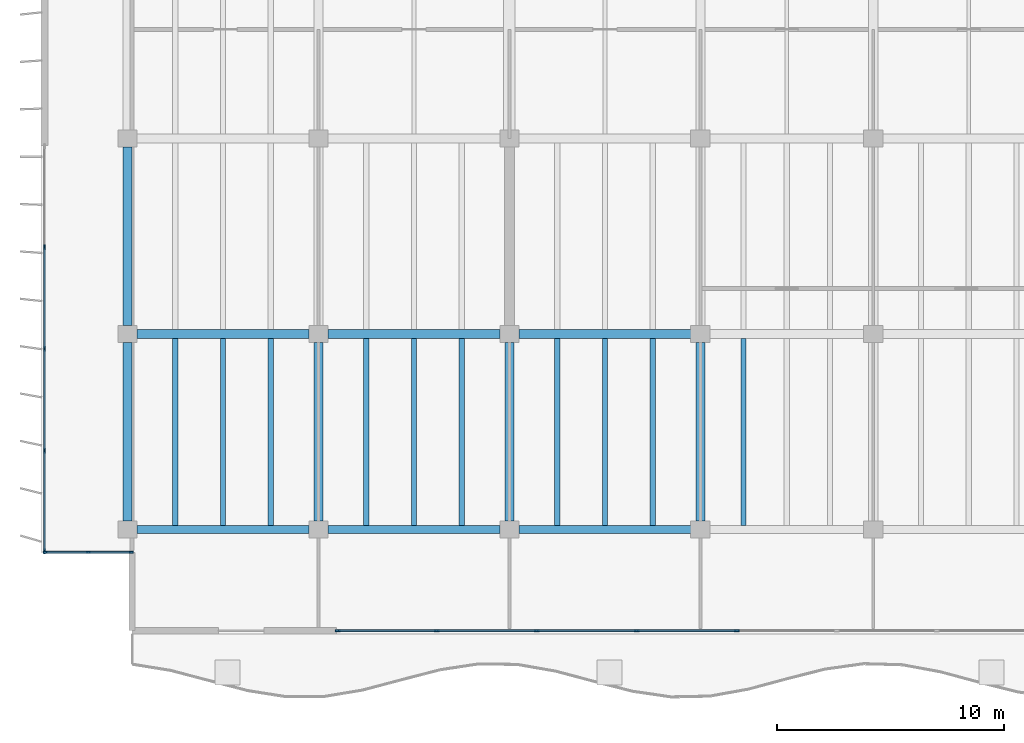
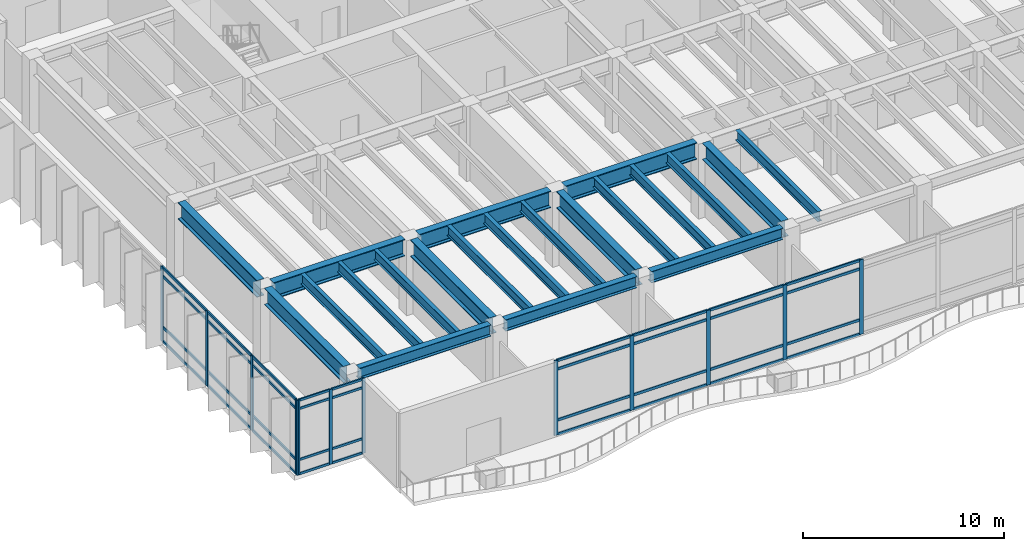
# One storey, part 2 of 15: 48 members, 21 beams, 3 elements without a shape of their own.
"""IFC4 building model written with IfcOpenShell, lengths in metres."""

from ifc_helpers import new_model, si_unit, direction, frame, origin, origin_2d, place, context, subcontext, project, spatial, rectangle, i_section, extrude, material, layer, layer_set, material_profile, profile_set, type_object, element, aggregate, save


model = new_model("IFC4")

# Units and contexts
model_context = context("Model", 3, precision=1e-05, world=origin(), true_north=direction((0.0, 1.0)))
body_context = subcontext(model_context, "Body", "Model", "MODEL_VIEW")
ifc_project = project(units=[si_unit("LENGTHUNIT", "METRE"), si_unit("AREAUNIT", "SQUARE_METRE"), si_unit("VOLUMEUNIT", "CUBIC_METRE"), si_unit("PLANEANGLEUNIT", "RADIAN"), si_unit("MASSUNIT", "GRAM", prefix="KILO")], contexts=[model_context])

# Site, building, storey
site_placement = place(None, origin())
site = spatial("IfcSite", under=ifc_project, at=site_placement, CompositionType="ELEMENT")
building_placement = place(site_placement, origin())
building = spatial("IfcBuilding", under=site, at=building_placement, Name="Caelmar Bay Residences", CompositionType="ELEMENT")
storey_placement = place(building_placement, frame((0.0, 0.0, 183.60009765625)))
storey = spatial("IfcBuildingStorey", under=building, at=storey_placement, Name="L51", CompositionType="ELEMENT", Elevation=183.60009765625)

# Beams
ifc_material_1 = material(Name="Steel ASTM A992 Grade 50", Category="steel")
ifc_material_profile_1 = material_profile(ifc_material_1, i_section(OverallWidth=0.404052734375, OverallDepth=1.02099609375, WebThickness=0.025390625, FlangeThickness=0.0458984375, FilletRadius=0.02294921875, at=origin_2d()), Name="W40X324")
ifc_profile_set_1 = profile_set([ifc_material_profile_1], Name="Steel ASTM A992 Grade 50")
beam_type_1 = type_object("IfcBeamType", Name="BM-GRD-W40X324", PredefinedType="BEAM", material=ifc_profile_set_1)
beam_1_placement = place(storey_placement, frame((10.31494140625, 20.800048828125, 4.039306640625), z_axis=(1.0, 0.0, 0.0), x_axis=(0.0, 1.0, 0.0)))
element("IfcBeam", 1, at=beam_1_placement, inside=storey, type_object=beam_type_1, Name="L51 East-West Girder Y=20.80 (9.9-18.3)", PredefinedType="BEAM", context=body_context, shape_type="SweptSolid", body=[
    extrude(i_section(OverallWidth=0.404052734375, OverallDepth=1.02099609375, WebThickness=0.025390625, FlangeThickness=0.0458984375, FilletRadius=0.02294921875, at=origin_2d()), origin(), (0.0, 0.0, 1.0), 7.570068359375),
])
beam_2_placement = place(storey_placement, frame((18.715087890625, 20.800048828125, 4.039306640625), z_axis=(1.0, 0.0, 0.0), x_axis=(0.0, 1.0, 0.0)))
element("IfcBeam", 2, at=beam_2_placement, inside=storey, type_object=beam_type_1, Name="L51 East-West Girder Y=20.80 (18.3-26.7)", PredefinedType="BEAM", context=body_context, shape_type="SweptSolid", body=[
    extrude(i_section(OverallWidth=0.404052734375, OverallDepth=1.02099609375, WebThickness=0.025390625, FlangeThickness=0.0458984375, FilletRadius=0.02294921875, at=origin_2d()), origin(), (0.0, 0.0, 1.0), 7.56982421875),
])
beam_3_placement = place(storey_placement, frame((27.114990234375, 20.800048828125, 4.039306640625), z_axis=(1.0, 0.0, 0.0), x_axis=(0.0, 1.0, 0.0)))
element("IfcBeam", 3, at=beam_3_placement, inside=storey, type_object=beam_type_1, Name="L51 East-West Girder Y=20.80 (26.7-35.1)", PredefinedType="BEAM", context=body_context, shape_type="SweptSolid", body=[
    extrude(i_section(OverallWidth=0.404052734375, OverallDepth=1.02099609375, WebThickness=0.025390625, FlangeThickness=0.0458984375, FilletRadius=0.02294921875, at=origin_2d()), origin(), (0.0, 0.0, 1.0), 7.570068359375),
])
beam_4_placement = place(storey_placement, frame((9.89990234375, 12.56494140625, 4.039306640625), z_axis=(0.0, 1.0, 0.0), x_axis=(-1.0, 0.0, 0.0)))
element("IfcBeam", 4, at=beam_4_placement, inside=storey, type_object=beam_type_1, Name="L51 North-South Girder X=9.90 (12.2-20.8)", PredefinedType="BEAM", context=body_context, shape_type="SweptSolid", body=[
    extrude(i_section(OverallWidth=0.404052734375, OverallDepth=1.02099609375, WebThickness=0.025390625, FlangeThickness=0.0458984375, FilletRadius=0.02294921875, at=origin_2d()), origin(), (0.0, 0.0, 1.0), 7.8701171875),
])
beam_5_placement = place(storey_placement, frame((9.89990234375, 21.1650390625, 4.039306640625), z_axis=(0.0, 1.0, 0.0), x_axis=(-1.0, 0.0, 0.0)))
element("IfcBeam", 5, at=beam_5_placement, inside=storey, type_object=beam_type_1, Name="L51 North-South Girder X=9.90 (20.8-29.4)", PredefinedType="BEAM", context=body_context, shape_type="SweptSolid", body=[
    extrude(i_section(OverallWidth=0.404052734375, OverallDepth=1.02099609375, WebThickness=0.025390625, FlangeThickness=0.0458984375, FilletRadius=0.02294921875, at=origin_2d()), origin(), (0.0, 0.0, 1.0), 7.869873046875),
])
for number, where, z_axis, x_axis, name in (
    (6, (18.300048828125, 12.56494140625, 4.039306640625), (0.0, 1.0, 0.0), (-1.0, 0.0, 0.0), "L51 North-South Girder X=18.30 (12.2-20.8)"),
    (7, (26.699951171875, 12.56494140625, 4.039306640625), (0.0, 1.0, 0.0), (-1.0, 0.0, 0.0), "L51 North-South Girder X=26.70 (12.2-20.8)"),
    (8, (35.10009765625, 12.56494140625, 4.039306640625), (0.0, 1.0, 0.0), (-1.0, 0.0, 0.0), "L51 North-South Girder X=35.10 (12.2-20.8)"),
):
    element("IfcBeam", number, at=place(storey_placement, frame(where, z_axis=z_axis, x_axis=x_axis)), inside=storey, type_object=beam_type_1, Name=name, PredefinedType="BEAM", context=body_context, shape_type="SweptSolid", body=[
        extrude(i_section(OverallWidth=0.404052734375, OverallDepth=1.02099609375, WebThickness=0.025390625, FlangeThickness=0.0458984375, FilletRadius=0.02294921875, at=origin_2d()), origin(), (0.0, 0.0, 1.0), 7.8701171875),
    ])
ifc_material_profile_2 = material_profile(ifc_material_1, i_section(OverallWidth=0.22900390625, OverallDepth=0.612060546875, WebThickness=0.011962890625, FlangeThickness=0.01953125, FilletRadius=0.0126953125, at=origin_2d()), Name="W24X84")
ifc_profile_set_2 = profile_set([ifc_material_profile_2], Name="Steel ASTM A992 Grade 50")
beam_type_2 = type_object("IfcBeamType", Name="BM-JST-W24X84", PredefinedType="JOIST", material=ifc_profile_set_2)
for number, where, z_axis, x_axis, name in (
    (9, (12.0, 12.3779296875, 4.243896484375), (0.0, 1.0, 0.0), (-1.0, 0.0, 0.0), "L51 Composite Floor Joist 1"),
    (10, (14.10009765625, 12.3779296875, 4.243896484375), (0.0, 1.0, 0.0), (-1.0, 0.0, 0.0), "L51 Composite Floor Joist 2"),
    (11, (16.199951171875, 12.3779296875, 4.243896484375), (0.0, 1.0, 0.0), (-1.0, 0.0, 0.0), "L51 Composite Floor Joist 3"),
    (12, (20.39990234375, 12.3779296875, 4.243896484375), (0.0, 1.0, 0.0), (-1.0, 0.0, 0.0), "L51 Composite Floor Joist 4"),
    (13, (22.5, 12.3779296875, 4.243896484375), (0.0, 1.0, 0.0), (-1.0, 0.0, 0.0), "L51 Composite Floor Joist 5"),
    (14, (24.60009765625, 12.3779296875, 4.243896484375), (0.0, 1.0, 0.0), (-1.0, 0.0, 0.0), "L51 Composite Floor Joist 6"),
    (15, (28.800048828125, 12.3779296875, 4.243896484375), (0.0, 1.0, 0.0), (-1.0, 0.0, 0.0), "L51 Composite Floor Joist 7"),
    (16, (30.89990234375, 12.3779296875, 4.243896484375), (0.0, 1.0, 0.0), (-1.0, 0.0, 0.0), "L51 Composite Floor Joist 8"),
    (17, (33.0, 12.3779296875, 4.243896484375), (0.0, 1.0, 0.0), (-1.0, 0.0, 0.0), "L51 Composite Floor Joist 9"),
    (18, (37.0, 12.3779296875, 4.243896484375), (0.0, 1.0, 0.0), (-1.0, 0.0, 0.0), "L51 Composite Floor Joist 10"),
):
    element("IfcBeam", number, at=place(storey_placement, frame(where, z_axis=z_axis, x_axis=x_axis)), inside=storey, type_object=beam_type_2, Name=name, PredefinedType="JOIST", context=body_context, shape_type="SweptSolid", body=[
        extrude(i_section(OverallWidth=0.22900390625, OverallDepth=0.612060546875, WebThickness=0.011962890625, FlangeThickness=0.01953125, FilletRadius=0.0126953125, at=origin_2d()), origin(), (0.0, 0.0, 1.0), 8.219970703125),
    ])
ifc_material_profile_3 = material_profile(ifc_material_1, i_section(OverallWidth=0.35595703125, OverallDepth=0.696044921875, WebThickness=0.015380859375, FlangeThickness=0.02490234375, FilletRadius=0.01513671875, at=origin_2d()), Name="W27X146")
ifc_profile_set_3 = profile_set([ifc_material_profile_3], Name="Steel ASTM A992 Grade 50")
beam_type_3 = type_object("IfcBeamType", Name="BM-SPN-W27X146", PredefinedType="SPANDREL", material=ifc_profile_set_3)
beam_6_placement = place(storey_placement, frame((10.31494140625, 12.199951171875, 4.201904296875), z_axis=(1.0, 0.0, 0.0), x_axis=(0.0, 1.0, 0.0)))
element("IfcBeam", 19, at=beam_6_placement, inside=storey, type_object=beam_type_3, Name="L51 East-West Girder Y=12.20 (9.9-18.3)", PredefinedType="SPANDREL", context=body_context, shape_type="SweptSolid", body=[
    extrude(i_section(OverallWidth=0.35595703125, OverallDepth=0.696044921875, WebThickness=0.015380859375, FlangeThickness=0.02490234375, FilletRadius=0.01513671875, at=origin_2d()), origin(), (0.0, 0.0, 1.0), 7.570068359375),
])
beam_7_placement = place(storey_placement, frame((18.715087890625, 12.199951171875, 4.201904296875), z_axis=(1.0, 0.0, 0.0), x_axis=(0.0, 1.0, 0.0)))
element("IfcBeam", 20, at=beam_7_placement, inside=storey, type_object=beam_type_3, Name="L51 East-West Girder Y=12.20 (18.3-26.7)", PredefinedType="SPANDREL", context=body_context, shape_type="SweptSolid", body=[
    extrude(i_section(OverallWidth=0.35595703125, OverallDepth=0.696044921875, WebThickness=0.015380859375, FlangeThickness=0.02490234375, FilletRadius=0.01513671875, at=origin_2d()), origin(), (0.0, 0.0, 1.0), 7.56982421875),
])
beam_8_placement = place(storey_placement, frame((27.114990234375, 12.199951171875, 4.201904296875), z_axis=(1.0, 0.0, 0.0), x_axis=(0.0, 1.0, 0.0)))
element("IfcBeam", 21, at=beam_8_placement, inside=storey, type_object=beam_type_3, Name="L51 East-West Girder Y=12.20 (26.7-35.1)", PredefinedType="SPANDREL", context=body_context, shape_type="SweptSolid", body=[
    extrude(i_section(OverallWidth=0.35595703125, OverallDepth=0.696044921875, WebThickness=0.015380859375, FlangeThickness=0.02490234375, FilletRadius=0.01513671875, at=origin_2d()), origin(), (0.0, 0.0, 1.0), 7.570068359375),
])

# Curtain wall, members
ifc_material_2 = material(Name="Anodised bronze aluminium 6063-T6 and laminated glass", Category="aluminium")
ifc_layer_1 = layer(ifc_material_2, 0.179931640625)
ifc_layer_set_1 = layer_set([ifc_layer_1], Name="Anodised bronze aluminium 6063-T6 and laminated glass")
curtain_wall_type_1 = type_object("IfcCurtainWallType", Name="CW6-NTC", PredefinedType="NOTDEFINED", material=ifc_layer_set_1)
curtain_wall_1_placement = place(storey_placement, origin())
curtain_wall_1 = element("IfcCurtainWall", 22, at=curtain_wall_1_placement, inside=storey, type_object=curtain_wall_type_1, Name="CW6 curtain wall L51", PredefinedType="NOTDEFINED")
ifc_material_3 = material(Name="Anodised bronze aluminium 6063-T6", Category="aluminium")
ifc_material_profile_4 = material_profile(ifc_material_3, rectangle(XDim=0.080078125, YDim=0.179931640625, at=origin_2d()), Name="CWM-80X180")
ifc_profile_set_4 = profile_set([ifc_material_profile_4], Name="Anodised bronze aluminium 6063-T6")
member_type_1 = type_object("IfcMemberType", Name="CWM-180", PredefinedType="MULLION", material=ifc_profile_set_4)
member_1_placement = place(storey_placement, frame((6.2900390625, 11.199951171875, 0.0), z_axis=(0.0, 0.0, 1.0), x_axis=(0.0, 1.0, 0.0)))
member_1 = element("IfcMember", 23, at=member_1_placement, type_object=member_type_1, Name="CW6 mullion 1", PredefinedType="MULLION", context=body_context, shape_type="SweptSolid", body=[
    extrude(rectangle(XDim=0.080078125, YDim=0.179931640625, at=origin_2d()), origin(), (0.0, 0.0, 1.0), 4.5498046875),
])
member_2_placement = place(storey_placement, frame((8.175048828125, 11.199951171875, 0.0), z_axis=(0.0, 0.0, 1.0), x_axis=(0.0, 1.0, 0.0)))
member_2 = element("IfcMember", 24, at=member_2_placement, type_object=member_type_1, Name="CW6 mullion 2", PredefinedType="MULLION", context=body_context, shape_type="SweptSolid", body=[
    extrude(rectangle(XDim=0.080078125, YDim=0.179931640625, at=origin_2d()), origin(), (0.0, 0.0, 1.0), 4.5498046875),
])
member_3_placement = place(storey_placement, frame((10.06005859375, 11.199951171875, 0.0), z_axis=(0.0, 0.0, 1.0), x_axis=(0.0, 1.0, 0.0)))
member_3 = element("IfcMember", 25, at=member_3_placement, type_object=member_type_1, Name="CW6 mullion 3", PredefinedType="MULLION", context=body_context, shape_type="SweptSolid", body=[
    extrude(rectangle(XDim=0.080078125, YDim=0.179931640625, at=origin_2d()), origin(), (0.0, 0.0, 1.0), 4.5498046875),
])

ifc_layer_2 = layer(ifc_material_2, 0.179931640625)
ifc_layer_set_2 = layer_set([ifc_layer_2], Name="Anodised bronze aluminium 6063-T6 and laminated glass")
curtain_wall_type_2 = type_object("IfcCurtainWallType", Name="CW7-CRN", PredefinedType="NOTDEFINED", material=ifc_layer_set_2)
curtain_wall_2_placement = place(storey_placement, origin())
curtain_wall_2 = element("IfcCurtainWall", 26, at=curtain_wall_2_placement, inside=storey, type_object=curtain_wall_type_2, Name="CW7 curtain wall L51", PredefinedType="NOTDEFINED")
ifc_material_profile_5 = material_profile(ifc_material_3, rectangle(XDim=0.080078125, YDim=0.219970703125, at=origin_2d()), Name="CWM-80X220")
ifc_profile_set_5 = profile_set([ifc_material_profile_5], Name="Anodised bronze aluminium 6063-T6")
member_type_2 = type_object("IfcMemberType", Name="CWM-220", PredefinedType="MULLION", material=ifc_profile_set_5)
member_4_placement = place(storey_placement, frame((36.699951171875, 7.75, 0.0), z_axis=(0.0, 0.0, 1.0), x_axis=(0.0, -1.0, 0.0)))
member_4 = element("IfcMember", 27, at=member_4_placement, type_object=member_type_2, Name="CW7 mullion 6", PredefinedType="MULLION", context=body_context, shape_type="SweptSolid", body=[
    extrude(rectangle(XDim=0.080078125, YDim=0.219970703125, at=origin_2d()), origin(), (0.0, 0.0, 1.0), 4.5498046875),
])
member_5_placement = place(storey_placement, frame((32.300048828125, 7.75, 0.0), z_axis=(0.0, 0.0, 1.0), x_axis=(0.0, -1.0, 0.0)))
member_5 = element("IfcMember", 28, at=member_5_placement, type_object=member_type_2, Name="CW7 mullion 7", PredefinedType="MULLION", context=body_context, shape_type="SweptSolid", body=[
    extrude(rectangle(XDim=0.080078125, YDim=0.219970703125, at=origin_2d()), origin(), (0.0, 0.0, 1.0), 4.5498046875),
])
member_6_placement = place(storey_placement, frame((27.89990234375, 7.75, 0.0), z_axis=(0.0, 0.0, 1.0), x_axis=(0.0, -1.0, 0.0)))
member_6 = element("IfcMember", 29, at=member_6_placement, type_object=member_type_2, Name="CW7 mullion 8", PredefinedType="MULLION", context=body_context, shape_type="SweptSolid", body=[
    extrude(rectangle(XDim=0.080078125, YDim=0.219970703125, at=origin_2d()), origin(), (0.0, 0.0, 1.0), 4.5498046875),
])
member_7_placement = place(storey_placement, frame((23.5, 7.75, 0.0), z_axis=(0.0, 0.0, 1.0), x_axis=(0.0, -1.0, 0.0)))
member_7 = element("IfcMember", 30, at=member_7_placement, type_object=member_type_2, Name="CW7 mullion 9", PredefinedType="MULLION", context=body_context, shape_type="SweptSolid", body=[
    extrude(rectangle(XDim=0.080078125, YDim=0.219970703125, at=origin_2d()), origin(), (0.0, 0.0, 1.0), 4.5498046875),
])
member_8_placement = place(storey_placement, frame((19.139892578125, 7.75, 0.0), z_axis=(0.0, 0.0, 1.0), x_axis=(0.0, -1.0, 0.0)))
member_8 = element("IfcMember", 31, at=member_8_placement, type_object=member_type_2, Name="CW7 mullion 10", PredefinedType="MULLION", context=body_context, shape_type="SweptSolid", body=[
    extrude(rectangle(XDim=0.080078125, YDim=0.219970703125, at=origin_2d()), origin(), (0.0, 0.0, 1.0), 4.5498046875),
])

curtain_wall_3_placement = place(storey_placement, origin())
curtain_wall_3 = element("IfcCurtainWall", 32, at=curtain_wall_3_placement, inside=storey, type_object=curtain_wall_type_2, Name="CW7 curtain wall L51", PredefinedType="NOTDEFINED")
member_9_placement = place(storey_placement, frame((6.25, 11.239990234375, 0.0), z_axis=(0.0, 0.0, 1.0), x_axis=(-1.0, 0.0, 0.0)))
member_9 = element("IfcMember", 33, at=member_9_placement, type_object=member_type_2, Name="CW7 mullion 1", PredefinedType="MULLION", context=body_context, shape_type="SweptSolid", body=[
    extrude(rectangle(XDim=0.080078125, YDim=0.219970703125, at=origin_2d()), origin(), (0.0, 0.0, 1.0), 4.5498046875),
])
member_10_placement = place(storey_placement, frame((6.25, 15.675048828125, 0.0), z_axis=(0.0, 0.0, 1.0), x_axis=(-1.0, 0.0, 0.0)))
member_10 = element("IfcMember", 34, at=member_10_placement, type_object=member_type_2, Name="CW7 mullion 2", PredefinedType="MULLION", context=body_context, shape_type="SweptSolid", body=[
    extrude(rectangle(XDim=0.080078125, YDim=0.219970703125, at=origin_2d()), origin(), (0.0, 0.0, 1.0), 4.5498046875),
])
member_11_placement = place(storey_placement, frame((6.25, 20.14990234375, 0.0), z_axis=(0.0, 0.0, 1.0), x_axis=(-1.0, 0.0, 0.0)))
member_11 = element("IfcMember", 35, at=member_11_placement, type_object=member_type_2, Name="CW7 mullion 3", PredefinedType="MULLION", context=body_context, shape_type="SweptSolid", body=[
    extrude(rectangle(XDim=0.080078125, YDim=0.219970703125, at=origin_2d()), origin(), (0.0, 0.0, 1.0), 4.5498046875),
])
member_12_placement = place(storey_placement, frame((6.25, 24.625, 0.0), z_axis=(0.0, 0.0, 1.0), x_axis=(-1.0, 0.0, 0.0)))
member_12 = element("IfcMember", 36, at=member_12_placement, type_object=member_type_2, Name="CW7 mullion 4", PredefinedType="MULLION", context=body_context, shape_type="SweptSolid", body=[
    extrude(rectangle(XDim=0.080078125, YDim=0.219970703125, at=origin_2d()), origin(), (0.0, 0.0, 1.0), 4.5498046875),
])

# Member
ifc_material_profile_6 = material_profile(ifc_material_3, rectangle(XDim=0.080078125, YDim=0.139892578125, at=origin_2d()), Name="CWT-80X140")
ifc_profile_set_6 = profile_set([ifc_material_profile_6], Name="Anodised bronze aluminium 6063-T6")
member_type_3 = type_object("IfcMemberType", Name="CWT-140", PredefinedType="NOTDEFINED", material=ifc_profile_set_6)
member_13_placement = place(storey_placement, frame((6.330078125, 11.199951171875, 0.039794921875), z_axis=(1.0, 0.0, 0.0), x_axis=(0.0, 1.0, 0.0)))
member_13 = element("IfcMember", 37, at=member_13_placement, type_object=member_type_3, Name="CW6 transom 1.1", ObjectType="TRANSOM", PredefinedType="USERDEFINED", context=body_context, shape_type="SweptSolid", body=[
    extrude(rectangle(XDim=0.080078125, YDim=0.139892578125, at=origin_2d()), origin(), (0.0, 0.0, 1.0), 1.804931640625),
])

member_14_placement = place(storey_placement, frame((6.330078125, 11.199951171875, 0.89990234375), z_axis=(1.0, 0.0, 0.0), x_axis=(0.0, 1.0, 0.0)))
member_14 = element("IfcMember", 38, at=member_14_placement, type_object=member_type_3, Name="CW6 transom 1.2", ObjectType="TRANSOM", PredefinedType="USERDEFINED", context=body_context, shape_type="SweptSolid", body=[
    extrude(rectangle(XDim=0.080078125, YDim=0.139892578125, at=origin_2d()), origin(), (0.0, 0.0, 1.0), 1.804931640625),
])

member_15_placement = place(storey_placement, frame((6.330078125, 11.199951171875, 4.0), z_axis=(1.0, 0.0, 0.0), x_axis=(0.0, 1.0, 0.0)))
member_15 = element("IfcMember", 39, at=member_15_placement, type_object=member_type_3, Name="CW6 transom 1.3", ObjectType="TRANSOM", PredefinedType="USERDEFINED", context=body_context, shape_type="SweptSolid", body=[
    extrude(rectangle(XDim=0.080078125, YDim=0.139892578125, at=origin_2d()), origin(), (0.0, 0.0, 1.0), 1.804931640625),
])

member_16_placement = place(storey_placement, frame((6.330078125, 11.199951171875, 4.510009765625), z_axis=(1.0, 0.0, 0.0), x_axis=(0.0, 1.0, 0.0)))
member_16 = element("IfcMember", 40, at=member_16_placement, type_object=member_type_3, Name="CW6 transom 1.4", ObjectType="TRANSOM", PredefinedType="USERDEFINED", context=body_context, shape_type="SweptSolid", body=[
    extrude(rectangle(XDim=0.080078125, YDim=0.139892578125, at=origin_2d()), origin(), (0.0, 0.0, 1.0), 1.804931640625),
])

member_17_placement = place(storey_placement, frame((8.215087890625, 11.199951171875, 0.039794921875), z_axis=(1.0, 0.0, 0.0), x_axis=(0.0, 1.0, 0.0)))
member_17 = element("IfcMember", 41, at=member_17_placement, type_object=member_type_3, Name="CW6 transom 2.1", ObjectType="TRANSOM", PredefinedType="USERDEFINED", context=body_context, shape_type="SweptSolid", body=[
    extrude(rectangle(XDim=0.080078125, YDim=0.139892578125, at=origin_2d()), origin(), (0.0, 0.0, 1.0), 1.804931640625),
])

member_18_placement = place(storey_placement, frame((8.215087890625, 11.199951171875, 0.89990234375), z_axis=(1.0, 0.0, 0.0), x_axis=(0.0, 1.0, 0.0)))
member_18 = element("IfcMember", 42, at=member_18_placement, type_object=member_type_3, Name="CW6 transom 2.2", ObjectType="TRANSOM", PredefinedType="USERDEFINED", context=body_context, shape_type="SweptSolid", body=[
    extrude(rectangle(XDim=0.080078125, YDim=0.139892578125, at=origin_2d()), origin(), (0.0, 0.0, 1.0), 1.804931640625),
])

member_19_placement = place(storey_placement, frame((8.215087890625, 11.199951171875, 4.0), z_axis=(1.0, 0.0, 0.0), x_axis=(0.0, 1.0, 0.0)))
member_19 = element("IfcMember", 43, at=member_19_placement, type_object=member_type_3, Name="CW6 transom 2.3", ObjectType="TRANSOM", PredefinedType="USERDEFINED", context=body_context, shape_type="SweptSolid", body=[
    extrude(rectangle(XDim=0.080078125, YDim=0.139892578125, at=origin_2d()), origin(), (0.0, 0.0, 1.0), 1.804931640625),
])

member_20_placement = place(storey_placement, frame((8.215087890625, 11.199951171875, 4.510009765625), z_axis=(1.0, 0.0, 0.0), x_axis=(0.0, 1.0, 0.0)))
member_20 = element("IfcMember", 44, at=member_20_placement, type_object=member_type_3, Name="CW6 transom 2.4", ObjectType="TRANSOM", PredefinedType="USERDEFINED", context=body_context, shape_type="SweptSolid", body=[
    extrude(rectangle(XDim=0.080078125, YDim=0.139892578125, at=origin_2d()), origin(), (0.0, 0.0, 1.0), 1.804931640625),
])

aggregate(curtain_wall_1, [member_1, member_2, member_3, member_13, member_14, member_15, member_16, member_17, member_18, member_19, member_20])

ifc_material_profile_7 = material_profile(ifc_material_3, rectangle(XDim=0.080078125, YDim=0.159912109375, at=origin_2d()), Name="CWT-80X160")
ifc_profile_set_7 = profile_set([ifc_material_profile_7], Name="Anodised bronze aluminium 6063-T6")
member_type_4 = type_object("IfcMemberType", Name="CWT-160", PredefinedType="NOTDEFINED", material=ifc_profile_set_7)
member_21_placement = place(storey_placement, frame((36.659912109375, 7.75, 0.039794921875), z_axis=(-1.0, 0.0, 0.0), x_axis=(0.0, -1.0, 0.0)))
member_21 = element("IfcMember", 45, at=member_21_placement, type_object=member_type_4, Name="CW7 transom 6.1", ObjectType="TRANSOM", PredefinedType="USERDEFINED", context=body_context, shape_type="SweptSolid", body=[
    extrude(rectangle(XDim=0.080078125, YDim=0.159912109375, at=origin_2d()), origin(), (0.0, 0.0, 1.0), 4.31982421875),
])

member_22_placement = place(storey_placement, frame((36.659912109375, 7.75, 0.89990234375), z_axis=(-1.0, 0.0, 0.0), x_axis=(0.0, -1.0, 0.0)))
member_22 = element("IfcMember", 46, at=member_22_placement, type_object=member_type_4, Name="CW7 transom 6.2", ObjectType="TRANSOM", PredefinedType="USERDEFINED", context=body_context, shape_type="SweptSolid", body=[
    extrude(rectangle(XDim=0.080078125, YDim=0.159912109375, at=origin_2d()), origin(), (0.0, 0.0, 1.0), 4.31982421875),
])

member_23_placement = place(storey_placement, frame((36.659912109375, 7.75, 4.0), z_axis=(-1.0, 0.0, 0.0), x_axis=(0.0, -1.0, 0.0)))
member_23 = element("IfcMember", 47, at=member_23_placement, type_object=member_type_4, Name="CW7 transom 6.3", ObjectType="TRANSOM", PredefinedType="USERDEFINED", context=body_context, shape_type="SweptSolid", body=[
    extrude(rectangle(XDim=0.080078125, YDim=0.159912109375, at=origin_2d()), origin(), (0.0, 0.0, 1.0), 4.31982421875),
])

member_24_placement = place(storey_placement, frame((36.659912109375, 7.75, 4.510009765625), z_axis=(-1.0, 0.0, 0.0), x_axis=(0.0, -1.0, 0.0)))
member_24 = element("IfcMember", 48, at=member_24_placement, type_object=member_type_4, Name="CW7 transom 6.4", ObjectType="TRANSOM", PredefinedType="USERDEFINED", context=body_context, shape_type="SweptSolid", body=[
    extrude(rectangle(XDim=0.080078125, YDim=0.159912109375, at=origin_2d()), origin(), (0.0, 0.0, 1.0), 4.31982421875),
])

member_25_placement = place(storey_placement, frame((32.260009765625, 7.75, 0.039794921875), z_axis=(-1.0, 0.0, 0.0), x_axis=(0.0, -1.0, 0.0)))
member_25 = element("IfcMember", 49, at=member_25_placement, type_object=member_type_4, Name="CW7 transom 7.1", ObjectType="TRANSOM", PredefinedType="USERDEFINED", context=body_context, shape_type="SweptSolid", body=[
    extrude(rectangle(XDim=0.080078125, YDim=0.159912109375, at=origin_2d()), origin(), (0.0, 0.0, 1.0), 4.320068359375),
])

member_26_placement = place(storey_placement, frame((32.260009765625, 7.75, 0.89990234375), z_axis=(-1.0, 0.0, 0.0), x_axis=(0.0, -1.0, 0.0)))
member_26 = element("IfcMember", 50, at=member_26_placement, type_object=member_type_4, Name="CW7 transom 7.2", ObjectType="TRANSOM", PredefinedType="USERDEFINED", context=body_context, shape_type="SweptSolid", body=[
    extrude(rectangle(XDim=0.080078125, YDim=0.159912109375, at=origin_2d()), origin(), (0.0, 0.0, 1.0), 4.320068359375),
])

member_27_placement = place(storey_placement, frame((32.260009765625, 7.75, 4.0), z_axis=(-1.0, 0.0, 0.0), x_axis=(0.0, -1.0, 0.0)))
member_27 = element("IfcMember", 51, at=member_27_placement, type_object=member_type_4, Name="CW7 transom 7.3", ObjectType="TRANSOM", PredefinedType="USERDEFINED", context=body_context, shape_type="SweptSolid", body=[
    extrude(rectangle(XDim=0.080078125, YDim=0.159912109375, at=origin_2d()), origin(), (0.0, 0.0, 1.0), 4.320068359375),
])

member_28_placement = place(storey_placement, frame((32.260009765625, 7.75, 4.510009765625), z_axis=(-1.0, 0.0, 0.0), x_axis=(0.0, -1.0, 0.0)))
member_28 = element("IfcMember", 52, at=member_28_placement, type_object=member_type_4, Name="CW7 transom 7.4", ObjectType="TRANSOM", PredefinedType="USERDEFINED", context=body_context, shape_type="SweptSolid", body=[
    extrude(rectangle(XDim=0.080078125, YDim=0.159912109375, at=origin_2d()), origin(), (0.0, 0.0, 1.0), 4.320068359375),
])

member_29_placement = place(storey_placement, frame((27.860107421875, 7.75, 0.039794921875), z_axis=(-1.0, 0.0, 0.0), x_axis=(0.0, -1.0, 0.0)))
member_29 = element("IfcMember", 53, at=member_29_placement, type_object=member_type_4, Name="CW7 transom 8.1", ObjectType="TRANSOM", PredefinedType="USERDEFINED", context=body_context, shape_type="SweptSolid", body=[
    extrude(rectangle(XDim=0.080078125, YDim=0.159912109375, at=origin_2d()), origin(), (0.0, 0.0, 1.0), 4.320068359375),
])

member_30_placement = place(storey_placement, frame((27.860107421875, 7.75, 0.89990234375), z_axis=(-1.0, 0.0, 0.0), x_axis=(0.0, -1.0, 0.0)))
member_30 = element("IfcMember", 54, at=member_30_placement, type_object=member_type_4, Name="CW7 transom 8.2", ObjectType="TRANSOM", PredefinedType="USERDEFINED", context=body_context, shape_type="SweptSolid", body=[
    extrude(rectangle(XDim=0.080078125, YDim=0.159912109375, at=origin_2d()), origin(), (0.0, 0.0, 1.0), 4.320068359375),
])

member_31_placement = place(storey_placement, frame((27.860107421875, 7.75, 4.0), z_axis=(-1.0, 0.0, 0.0), x_axis=(0.0, -1.0, 0.0)))
member_31 = element("IfcMember", 55, at=member_31_placement, type_object=member_type_4, Name="CW7 transom 8.3", ObjectType="TRANSOM", PredefinedType="USERDEFINED", context=body_context, shape_type="SweptSolid", body=[
    extrude(rectangle(XDim=0.080078125, YDim=0.159912109375, at=origin_2d()), origin(), (0.0, 0.0, 1.0), 4.320068359375),
])

member_32_placement = place(storey_placement, frame((27.860107421875, 7.75, 4.510009765625), z_axis=(-1.0, 0.0, 0.0), x_axis=(0.0, -1.0, 0.0)))
member_32 = element("IfcMember", 56, at=member_32_placement, type_object=member_type_4, Name="CW7 transom 8.4", ObjectType="TRANSOM", PredefinedType="USERDEFINED", context=body_context, shape_type="SweptSolid", body=[
    extrude(rectangle(XDim=0.080078125, YDim=0.159912109375, at=origin_2d()), origin(), (0.0, 0.0, 1.0), 4.320068359375),
])

member_33_placement = place(storey_placement, frame((23.4599609375, 7.75, 0.039794921875), z_axis=(-1.0, 0.0, 0.0), x_axis=(0.0, -1.0, 0.0)))
member_33 = element("IfcMember", 57, at=member_33_placement, type_object=member_type_4, Name="CW7 transom 9.1", ObjectType="TRANSOM", PredefinedType="USERDEFINED", context=body_context, shape_type="SweptSolid", body=[
    extrude(rectangle(XDim=0.080078125, YDim=0.159912109375, at=origin_2d()), origin(), (0.0, 0.0, 1.0), 4.280029296875),
])

member_34_placement = place(storey_placement, frame((23.4599609375, 7.75, 0.89990234375), z_axis=(-1.0, 0.0, 0.0), x_axis=(0.0, -1.0, 0.0)))
member_34 = element("IfcMember", 58, at=member_34_placement, type_object=member_type_4, Name="CW7 transom 9.2", ObjectType="TRANSOM", PredefinedType="USERDEFINED", context=body_context, shape_type="SweptSolid", body=[
    extrude(rectangle(XDim=0.080078125, YDim=0.159912109375, at=origin_2d()), origin(), (0.0, 0.0, 1.0), 4.280029296875),
])

member_35_placement = place(storey_placement, frame((23.4599609375, 7.75, 4.0), z_axis=(-1.0, 0.0, 0.0), x_axis=(0.0, -1.0, 0.0)))
member_35 = element("IfcMember", 59, at=member_35_placement, type_object=member_type_4, Name="CW7 transom 9.3", ObjectType="TRANSOM", PredefinedType="USERDEFINED", context=body_context, shape_type="SweptSolid", body=[
    extrude(rectangle(XDim=0.080078125, YDim=0.159912109375, at=origin_2d()), origin(), (0.0, 0.0, 1.0), 4.280029296875),
])

member_36_placement = place(storey_placement, frame((23.4599609375, 7.75, 4.510009765625), z_axis=(-1.0, 0.0, 0.0), x_axis=(0.0, -1.0, 0.0)))
member_36 = element("IfcMember", 60, at=member_36_placement, type_object=member_type_4, Name="CW7 transom 9.4", ObjectType="TRANSOM", PredefinedType="USERDEFINED", context=body_context, shape_type="SweptSolid", body=[
    extrude(rectangle(XDim=0.080078125, YDim=0.159912109375, at=origin_2d()), origin(), (0.0, 0.0, 1.0), 4.280029296875),
])

aggregate(curtain_wall_2, [member_4, member_5, member_6, member_7, member_8, member_21, member_22, member_23, member_24, member_25, member_26, member_27, member_28, member_29, member_30, member_31, member_32, member_33, member_34, member_35, member_36])

member_37_placement = place(storey_placement, frame((6.25, 11.280029296875, 0.039794921875), z_axis=(0.0, 1.0, 0.0), x_axis=(-1.0, 0.0, 0.0)))
member_37 = element("IfcMember", 61, at=member_37_placement, type_object=member_type_4, Name="CW7 transom 1.1", ObjectType="TRANSOM", PredefinedType="USERDEFINED", context=body_context, shape_type="SweptSolid", body=[
    extrude(rectangle(XDim=0.080078125, YDim=0.159912109375, at=origin_2d()), origin(), (0.0, 0.0, 1.0), 4.35498046875),
])

member_38_placement = place(storey_placement, frame((6.25, 11.280029296875, 0.89990234375), z_axis=(0.0, 1.0, 0.0), x_axis=(-1.0, 0.0, 0.0)))
member_38 = element("IfcMember", 62, at=member_38_placement, type_object=member_type_4, Name="CW7 transom 1.2", ObjectType="TRANSOM", PredefinedType="USERDEFINED", context=body_context, shape_type="SweptSolid", body=[
    extrude(rectangle(XDim=0.080078125, YDim=0.159912109375, at=origin_2d()), origin(), (0.0, 0.0, 1.0), 4.35498046875),
])

member_39_placement = place(storey_placement, frame((6.25, 11.280029296875, 4.0), z_axis=(0.0, 1.0, 0.0), x_axis=(-1.0, 0.0, 0.0)))
member_39 = element("IfcMember", 63, at=member_39_placement, type_object=member_type_4, Name="CW7 transom 1.3", ObjectType="TRANSOM", PredefinedType="USERDEFINED", context=body_context, shape_type="SweptSolid", body=[
    extrude(rectangle(XDim=0.080078125, YDim=0.159912109375, at=origin_2d()), origin(), (0.0, 0.0, 1.0), 4.35498046875),
])

member_40_placement = place(storey_placement, frame((6.25, 11.280029296875, 4.510009765625), z_axis=(0.0, 1.0, 0.0), x_axis=(-1.0, 0.0, 0.0)))
member_40 = element("IfcMember", 64, at=member_40_placement, type_object=member_type_4, Name="CW7 transom 1.4", ObjectType="TRANSOM", PredefinedType="USERDEFINED", context=body_context, shape_type="SweptSolid", body=[
    extrude(rectangle(XDim=0.080078125, YDim=0.159912109375, at=origin_2d()), origin(), (0.0, 0.0, 1.0), 4.35498046875),
])

member_41_placement = place(storey_placement, frame((6.25, 15.715087890625, 0.039794921875), z_axis=(0.0, 1.0, 0.0), x_axis=(-1.0, 0.0, 0.0)))
member_41 = element("IfcMember", 65, at=member_41_placement, type_object=member_type_4, Name="CW7 transom 2.1", ObjectType="TRANSOM", PredefinedType="USERDEFINED", context=body_context, shape_type="SweptSolid", body=[
    extrude(rectangle(XDim=0.080078125, YDim=0.159912109375, at=origin_2d()), origin(), (0.0, 0.0, 1.0), 4.39501953125),
])

member_42_placement = place(storey_placement, frame((6.25, 15.715087890625, 0.89990234375), z_axis=(0.0, 1.0, 0.0), x_axis=(-1.0, 0.0, 0.0)))
member_42 = element("IfcMember", 66, at=member_42_placement, type_object=member_type_4, Name="CW7 transom 2.2", ObjectType="TRANSOM", PredefinedType="USERDEFINED", context=body_context, shape_type="SweptSolid", body=[
    extrude(rectangle(XDim=0.080078125, YDim=0.159912109375, at=origin_2d()), origin(), (0.0, 0.0, 1.0), 4.39501953125),
])

member_43_placement = place(storey_placement, frame((6.25, 15.715087890625, 4.0), z_axis=(0.0, 1.0, 0.0), x_axis=(-1.0, 0.0, 0.0)))
member_43 = element("IfcMember", 67, at=member_43_placement, type_object=member_type_4, Name="CW7 transom 2.3", ObjectType="TRANSOM", PredefinedType="USERDEFINED", context=body_context, shape_type="SweptSolid", body=[
    extrude(rectangle(XDim=0.080078125, YDim=0.159912109375, at=origin_2d()), origin(), (0.0, 0.0, 1.0), 4.39501953125),
])

member_44_placement = place(storey_placement, frame((6.25, 15.715087890625, 4.510009765625), z_axis=(0.0, 1.0, 0.0), x_axis=(-1.0, 0.0, 0.0)))
member_44 = element("IfcMember", 68, at=member_44_placement, type_object=member_type_4, Name="CW7 transom 2.4", ObjectType="TRANSOM", PredefinedType="USERDEFINED", context=body_context, shape_type="SweptSolid", body=[
    extrude(rectangle(XDim=0.080078125, YDim=0.159912109375, at=origin_2d()), origin(), (0.0, 0.0, 1.0), 4.39501953125),
])

member_45_placement = place(storey_placement, frame((6.25, 20.18994140625, 0.039794921875), z_axis=(0.0, 1.0, 0.0), x_axis=(-1.0, 0.0, 0.0)))
member_45 = element("IfcMember", 69, at=member_45_placement, type_object=member_type_4, Name="CW7 transom 3.1", ObjectType="TRANSOM", PredefinedType="USERDEFINED", context=body_context, shape_type="SweptSolid", body=[
    extrude(rectangle(XDim=0.080078125, YDim=0.159912109375, at=origin_2d()), origin(), (0.0, 0.0, 1.0), 4.39501953125),
])

member_46_placement = place(storey_placement, frame((6.25, 20.18994140625, 0.89990234375), z_axis=(0.0, 1.0, 0.0), x_axis=(-1.0, 0.0, 0.0)))
member_46 = element("IfcMember", 70, at=member_46_placement, type_object=member_type_4, Name="CW7 transom 3.2", ObjectType="TRANSOM", PredefinedType="USERDEFINED", context=body_context, shape_type="SweptSolid", body=[
    extrude(rectangle(XDim=0.080078125, YDim=0.159912109375, at=origin_2d()), origin(), (0.0, 0.0, 1.0), 4.39501953125),
])

member_47_placement = place(storey_placement, frame((6.25, 20.18994140625, 4.0), z_axis=(0.0, 1.0, 0.0), x_axis=(-1.0, 0.0, 0.0)))
member_47 = element("IfcMember", 71, at=member_47_placement, type_object=member_type_4, Name="CW7 transom 3.3", ObjectType="TRANSOM", PredefinedType="USERDEFINED", context=body_context, shape_type="SweptSolid", body=[
    extrude(rectangle(XDim=0.080078125, YDim=0.159912109375, at=origin_2d()), origin(), (0.0, 0.0, 1.0), 4.39501953125),
])

member_48_placement = place(storey_placement, frame((6.25, 20.18994140625, 4.510009765625), z_axis=(0.0, 1.0, 0.0), x_axis=(-1.0, 0.0, 0.0)))
member_48 = element("IfcMember", 72, at=member_48_placement, type_object=member_type_4, Name="CW7 transom 3.4", ObjectType="TRANSOM", PredefinedType="USERDEFINED", context=body_context, shape_type="SweptSolid", body=[
    extrude(rectangle(XDim=0.080078125, YDim=0.159912109375, at=origin_2d()), origin(), (0.0, 0.0, 1.0), 4.39501953125),
])

aggregate(curtain_wall_3, [member_9, member_10, member_11, member_12, member_37, member_38, member_39, member_40, member_41, member_42, member_43, member_44, member_45, member_46, member_47, member_48])

save(model, "model.ifc")
